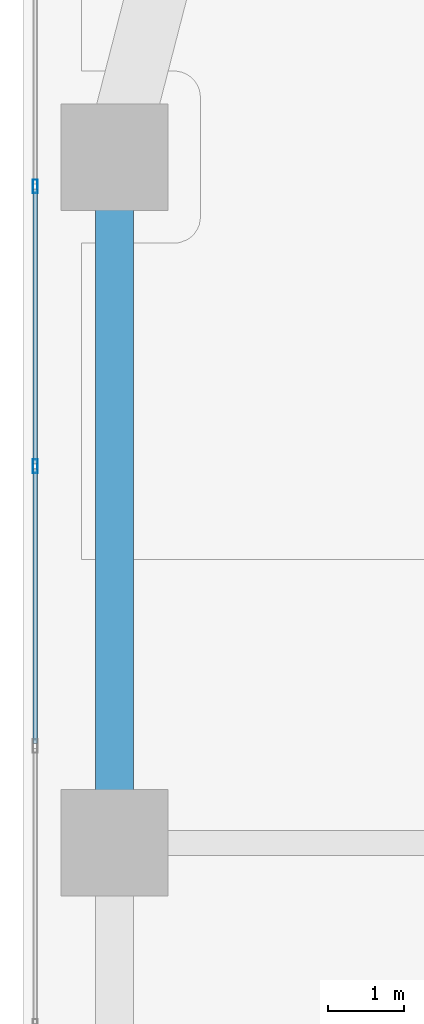
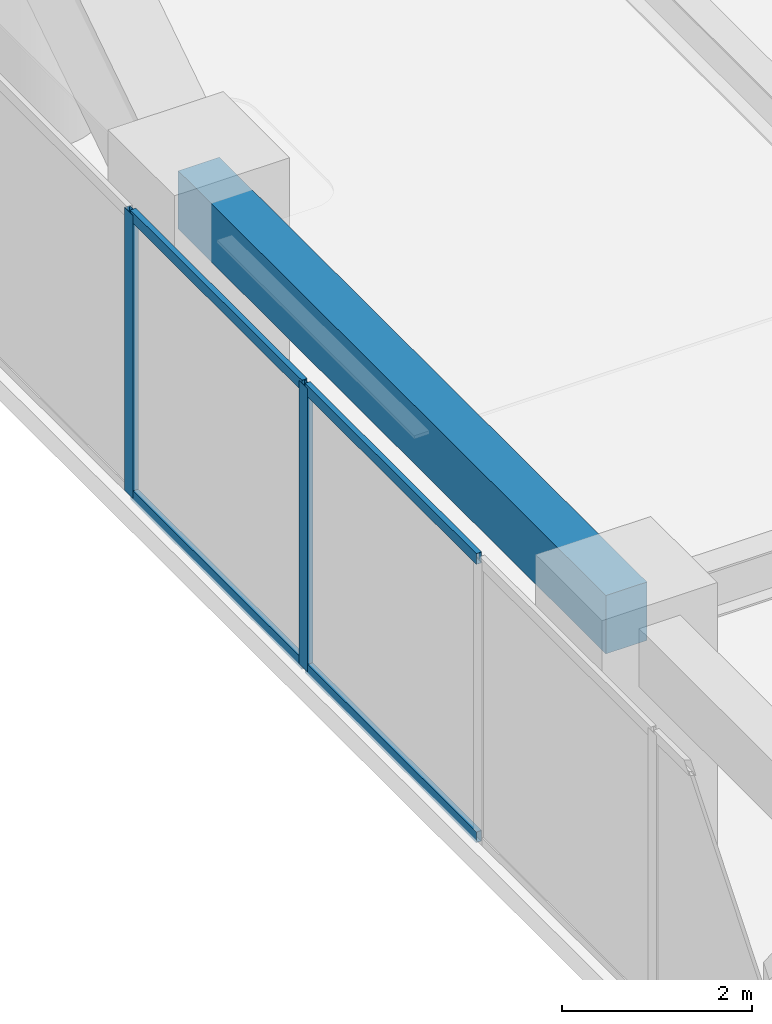
# One storey, part 9 of 24: 6 members, 1 beam, 1 element without a shape of its own.
"""IFC4 building model written with IfcOpenShell, lengths in metres."""

from ifc_helpers import new_model, si_unit, direction, frame, origin, origin_2d, place, context, subcontext, project, spatial, rectangle, hollow_rectangle, extrude, material, layer, layer_set, material_profile, profile_set, type_object, element, aggregate, save


model = new_model("IFC4")

# Units and contexts
model_context = context("Model", 3, precision=1e-05, world=origin(), true_north=direction((0.0, 1.0)))
body_context = subcontext(model_context, "Body", "Model", "MODEL_VIEW")
ifc_project = project(units=[si_unit("LENGTHUNIT", "METRE"), si_unit("AREAUNIT", "SQUARE_METRE"), si_unit("VOLUMEUNIT", "CUBIC_METRE"), si_unit("PLANEANGLEUNIT", "RADIAN"), si_unit("MASSUNIT", "GRAM", prefix="KILO")], contexts=[model_context])

# Site, building, storey
site_placement = place(None, origin())
site = spatial("IfcSite", under=ifc_project, at=site_placement, CompositionType="ELEMENT")
building_placement = place(site_placement, origin())
building = spatial("IfcBuilding", under=site, at=building_placement, Name="Kiyonajd Concourse Tower", CompositionType="ELEMENT")
storey_placement = place(building_placement, frame((0.0, 0.0, 93.60009765625)))
storey = spatial("IfcBuildingStorey", under=building, at=storey_placement, Name="L24", CompositionType="ELEMENT", Elevation=93.60009765625)

# Beam
ifc_material_1 = material(Name="Precast concrete C50/60", Category="concrete")
ifc_material_profile_1 = material_profile(ifc_material_1, rectangle(XDim=0.5, YDim=0.75, at=origin_2d()), Name="RCBM-500x750")
ifc_profile_set_1 = profile_set([ifc_material_profile_1], Name="Precast concrete C50/60")
beam_type = type_object("IfcBeamType", Name="BM-SPAN-RC", PredefinedType="SPANDREL", material=ifc_profile_set_1)
beam_placement = place(storey_placement, frame((19.199951171875, 53.39990234375, 3.264892578125), z_axis=(0.0, -1.0, 0.0), x_axis=(1.0, 0.0, 0.0)))
element("IfcBeam", 1, at=beam_placement, inside=storey, type_object=beam_type, Name="L24 Perimeter Bundled Tube Spandrel", PredefinedType="SPANDREL", context=body_context, shape_type="SweptSolid", body=[
    extrude(rectangle(XDim=0.5, YDim=0.75, at=origin_2d()), origin(), (0.0, 0.0, 1.0), 9.0),
])

# Curtain wall, members
ifc_material_2 = material(Name="Thermally Broken Anodised Aluminium", Category="aluminium")
ifc_layer = layer(ifc_material_2, 0.179931640625)
ifc_layer_set = layer_set([ifc_layer], Name="Thermally Broken Anodised Aluminium")
curtain_wall_type = type_object("IfcCurtainWallType", Name="CW-SYS-03", PredefinedType="NOTDEFINED", material=ifc_layer_set)
curtain_wall_placement = place(storey_placement, origin())
curtain_wall = element("IfcCurtainWall", 2, at=curtain_wall_placement, inside=storey, type_object=curtain_wall_type, Name="L24 Unitised Curtain Wall CW3", PredefinedType="NOTDEFINED")
ifc_material_profile_2 = material_profile(ifc_material_2, hollow_rectangle(XDim=0.06494140625, YDim=0.179931640625, WallThickness=0.00390625, at=origin_2d()), Name="MULL-65x180")
ifc_profile_set_2 = profile_set([ifc_material_profile_2], Name="Thermally Broken Anodised Aluminium")
member_type_1 = type_object("IfcMemberType", Name="MB-CW-MULL1", PredefinedType="MULLION", material=ifc_profile_set_2)
member_1_placement = place(storey_placement, frame((18.159912109375, 49.342529296875, 0.0), z_axis=(0.0, 0.0, 1.0), x_axis=(-1.0, 0.0, 0.0)))
member_1 = element("IfcMember", 3, at=member_1_placement, type_object=member_type_1, Name="CW3 mullion 5", PredefinedType="MULLION", context=body_context, shape_type="SweptSolid", body=[
    extrude(hollow_rectangle(XDim=0.06494140625, YDim=0.179931640625, WallThickness=0.00390625, at=origin_2d()), origin(), (0.0, 0.0, 1.0), 3.639892578125),
])
member_2_placement = place(storey_placement, frame((18.159912109375, 53.015869140625, 0.0), z_axis=(0.0, 0.0, 1.0), x_axis=(-1.0, 0.0, 0.0)))
member_2 = element("IfcMember", 4, at=member_2_placement, type_object=member_type_1, Name="CW3 mullion 6", PredefinedType="MULLION", context=body_context, shape_type="SweptSolid", body=[
    extrude(hollow_rectangle(XDim=0.06494140625, YDim=0.179931640625, WallThickness=0.00390625, at=origin_2d()), origin(), (0.0, 0.0, 1.0), 3.639892578125),
])
ifc_material_profile_3 = material_profile(ifc_material_2, hollow_rectangle(XDim=0.06494140625, YDim=0.139892578125, WallThickness=0.00390625, at=origin_2d()), Name="TRAN-65x140")
ifc_profile_set_3 = profile_set([ifc_material_profile_3], Name="Thermally Broken Anodised Aluminium")
member_type_2 = type_object("IfcMemberType", Name="MB-CW-TRAN1", PredefinedType="USERDEFINED", material=ifc_profile_set_3)
member_3_placement = place(storey_placement, frame((18.159912109375, 45.701904296875, 0.032470703125), z_axis=(0.0, 1.0, 0.0), x_axis=(-1.0, 0.0, 0.0)))
member_3 = element("IfcMember", 5, at=member_3_placement, type_object=member_type_2, Name="CW3 transom 4.1", ObjectType="TRANSOM", PredefinedType="USERDEFINED", context=body_context, shape_type="SweptSolid", body=[
    extrude(hollow_rectangle(XDim=0.06494140625, YDim=0.139892578125, WallThickness=0.00390625, at=origin_2d()), origin(), (0.0, 0.0, 1.0), 3.608154296875),
])
member_4_placement = place(storey_placement, frame((18.159912109375, 45.701904296875, 3.607421875), z_axis=(0.0, 1.0, 0.0), x_axis=(-1.0, 0.0, 0.0)))
member_4 = element("IfcMember", 6, at=member_4_placement, type_object=member_type_2, Name="CW3 transom 4.2", ObjectType="TRANSOM", PredefinedType="USERDEFINED", context=body_context, shape_type="SweptSolid", body=[
    extrude(hollow_rectangle(XDim=0.06494140625, YDim=0.139892578125, WallThickness=0.00390625, at=origin_2d()), origin(), (0.0, 0.0, 1.0), 3.608154296875),
])
member_5_placement = place(storey_placement, frame((18.159912109375, 49.375, 0.032470703125), z_axis=(0.0, 1.0, 0.0), x_axis=(-1.0, 0.0, 0.0)))
member_5 = element("IfcMember", 7, at=member_5_placement, type_object=member_type_2, Name="CW3 transom 5.1", ObjectType="TRANSOM", PredefinedType="USERDEFINED", context=body_context, shape_type="SweptSolid", body=[
    extrude(hollow_rectangle(XDim=0.06494140625, YDim=0.139892578125, WallThickness=0.00390625, at=origin_2d()), origin(), (0.0, 0.0, 1.0), 3.608154296875),
])
member_6_placement = place(storey_placement, frame((18.159912109375, 49.375, 3.607421875), z_axis=(0.0, 1.0, 0.0), x_axis=(-1.0, 0.0, 0.0)))
member_6 = element("IfcMember", 8, at=member_6_placement, type_object=member_type_2, Name="CW3 transom 5.2", ObjectType="TRANSOM", PredefinedType="USERDEFINED", context=body_context, shape_type="SweptSolid", body=[
    extrude(hollow_rectangle(XDim=0.06494140625, YDim=0.139892578125, WallThickness=0.00390625, at=origin_2d()), origin(), (0.0, 0.0, 1.0), 3.608154296875),
])
aggregate(curtain_wall, [member_1, member_2, member_3, member_4, member_5, member_6])

save(model, "model.ifc")
